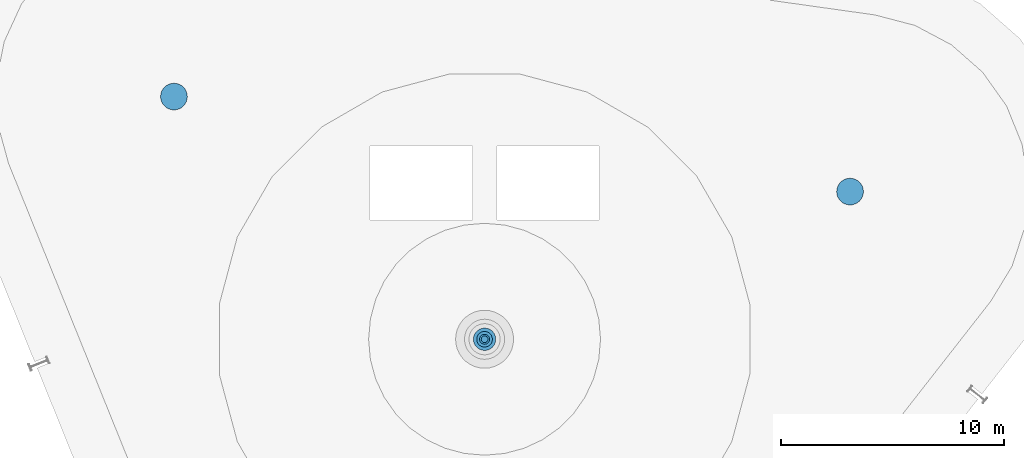
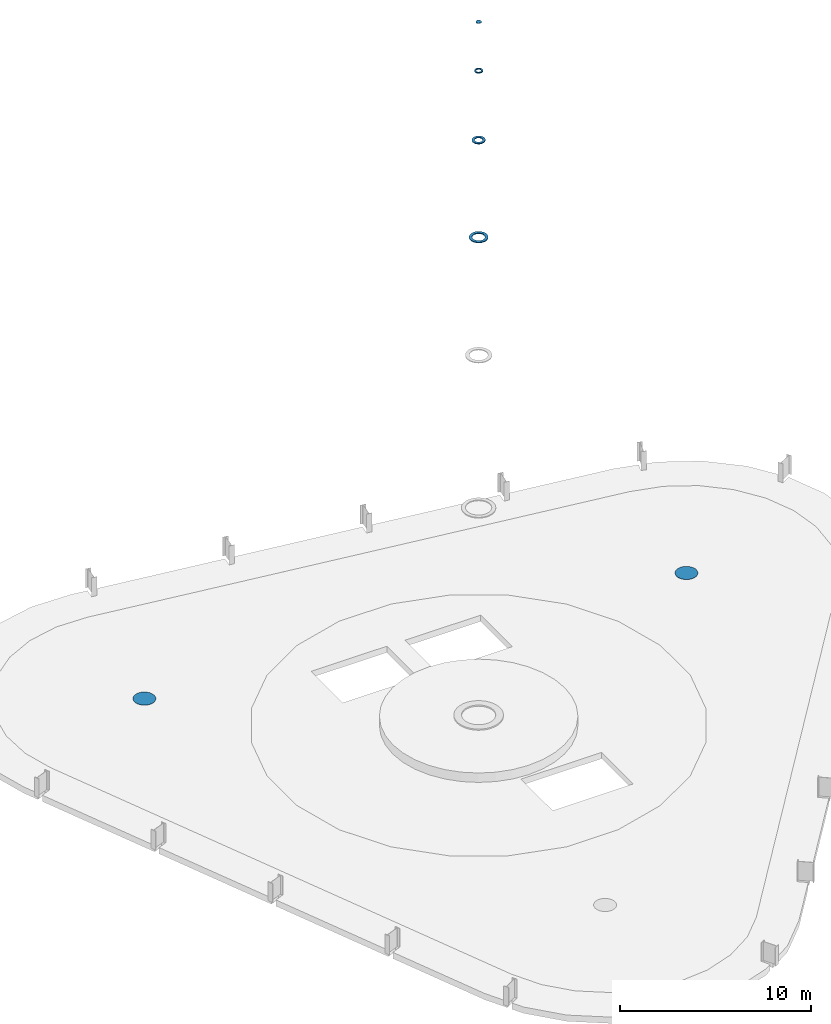
# One storey, part 2 of 2: 6 discrete accessories.
"""IFC4 building model written with IfcOpenShell, lengths in metres."""

from ifc_helpers import new_model, si_unit, direction, frame, origin, place, context, subcontext, project, spatial, polyline, outline, extrude, material, layer, layer_set, type_object, element, save


model = new_model("IFC4")

# Units and contexts
model_context = context("Model", 3, precision=1e-05, world=origin(), true_north=direction((0.0, 1.0)))
body_context = subcontext(model_context, "Body", "Model", "MODEL_VIEW")
ifc_project = project(units=[si_unit("LENGTHUNIT", "METRE"), si_unit("AREAUNIT", "SQUARE_METRE"), si_unit("VOLUMEUNIT", "CUBIC_METRE"), si_unit("PLANEANGLEUNIT", "RADIAN"), si_unit("MASSUNIT", "GRAM", prefix="KILO")], contexts=[model_context])

# Site, building, storey
site_placement = place(None, origin())
site = spatial("IfcSite", under=ifc_project, at=site_placement, CompositionType="ELEMENT")
building_placement = place(site_placement, origin())
building = spatial("IfcBuilding", under=site, at=building_placement, Name="Spindle Arch Residences", CompositionType="ELEMENT")
storey_placement = place(building_placement, frame((0.0, 0.0, 371.39990234375)))
storey = spatial("IfcBuildingStorey", under=building, at=storey_placement, Name="ROOF", CompositionType="ELEMENT", Elevation=371.39990234375)

# Discrete accessories
ifc_material_1 = material(Name="Steel S460ML, intumescent coating R 240", Category="steel")
ifc_layer_1 = layer(ifc_material_1, 0.0400390625)
ifc_layer_set_1 = layer_set([ifc_layer_1], Name="End cap plate 40")
discrete_accessory_type_1 = type_object("IfcDiscreteAccessoryType", Name="End cap plate 40", PredefinedType="BRACKET", material=ifc_layer_set_1)
discrete_accessory_1_placement = place(storey_placement, frame((0.0, 0.0, -0.039794921875)))
element("IfcDiscreteAccessory", 1, at=discrete_accessory_1_placement, inside=storey, type_object=discrete_accessory_type_1, Name="End cap Mega-column 1", PredefinedType="BRACKET", context=body_context, shape_type="SweptSolid", body=[
    extrude(outline(polyline([(16.98974609375, 6.621826171875), (16.978271484375, 6.739013671875), (16.944091796875, 6.8515625), (16.888671875, 6.955078125), (16.81396484375, 7.046142578125), (16.722900390625, 7.120849609375), (16.619384765625, 7.17626953125), (16.5068359375, 7.21044921875), (16.3896484375, 7.221923828125), (16.272705078125, 7.21044921875), (16.16015625, 7.17626953125), (16.056396484375, 7.120849609375), (15.96533203125, 7.046142578125), (15.890869140625, 6.955078125), (15.83544921875, 6.8515625), (15.80126953125, 6.739013671875), (15.789794921875, 6.621826171875), (15.80126953125, 6.5048828125), (15.83544921875, 6.392333984375), (15.890869140625, 6.28857421875), (15.96533203125, 6.197509765625), (16.056396484375, 6.123046875), (16.16015625, 6.067626953125), (16.272705078125, 6.033447265625), (16.3896484375, 6.02197265625), (16.5068359375, 6.033447265625), (16.619384765625, 6.067626953125), (16.722900390625, 6.123046875), (16.81396484375, 6.197509765625), (16.888671875, 6.28857421875), (16.944091796875, 6.392333984375), (16.978271484375, 6.5048828125), (16.98974609375, 6.621826171875)])), origin(), (0.0, 0.0, 1.0), 0.039794921875),
])
discrete_accessory_2_placement = place(storey_placement, frame((0.0, 0.0, -0.039794921875)))
element("IfcDiscreteAccessory", 2, at=discrete_accessory_2_placement, inside=storey, type_object=discrete_accessory_type_1, Name="End cap Mega-column 2", PredefinedType="BRACKET", context=body_context, shape_type="SweptSolid", body=[
    extrude(outline(polyline([(-13.32958984375, 10.883056640625), (-13.341064453125, 11.0), (-13.375244140625, 11.112548828125), (-13.4306640625, 11.21630859375), (-13.505126953125, 11.307373046875), (-13.59619140625, 11.3818359375), (-13.699951171875, 11.437255859375), (-13.8125, 11.471435546875), (-13.929443359375, 11.48291015625), (-14.046630859375, 11.471435546875), (-14.1591796875, 11.437255859375), (-14.2626953125, 11.3818359375), (-14.353759765625, 11.307373046875), (-14.428466796875, 11.21630859375), (-14.48388671875, 11.112548828125), (-14.51806640625, 11.0), (-14.529541015625, 10.883056640625), (-14.51806640625, 10.765869140625), (-14.48388671875, 10.6533203125), (-14.428466796875, 10.5498046875), (-14.353759765625, 10.458740234375), (-14.2626953125, 10.384033203125), (-14.1591796875, 10.32861328125), (-14.046630859375, 10.29443359375), (-13.929443359375, 10.282958984375), (-13.8125, 10.29443359375), (-13.699951171875, 10.32861328125), (-13.59619140625, 10.384033203125), (-13.505126953125, 10.458740234375), (-13.4306640625, 10.5498046875), (-13.375244140625, 10.6533203125), (-13.341064453125, 10.765869140625), (-13.32958984375, 10.883056640625)])), origin(), (0.0, 0.0, 1.0), 0.039794921875),
])
ifc_material_2 = material(Name="Steel S460ML, intumescent coating R 30", Category="steel")
ifc_layer_2 = layer(ifc_material_2, 0.030029296875)
ifc_layer_set_2 = layer_set([ifc_layer_2], Name="Spire end cap 30")
discrete_accessory_type_2 = type_object("IfcDiscreteAccessoryType", Name="Spire end cap 30", PredefinedType="BRACKET", material=ifc_layer_set_2)
discrete_accessory_3_placement = place(storey_placement, frame((0.0, 0.0, 44.97021484375)))
element("IfcDiscreteAccessory", 3, at=discrete_accessory_3_placement, inside=storey, type_object=discrete_accessory_type_2, Name="Spire end cap", PredefinedType="BRACKET", context=body_context, shape_type="SweptSolid", body=[
    extrude(outline(polyline([(0.14990234375, 0.0), (0.147705078125, 0.02587890625), (0.14111328125, 0.05126953125), (0.1298828125, 0.074951171875), (0.114990234375, 0.096435546875), (0.096435546875, 0.114990234375), (0.074951171875, 0.1298828125), (0.05126953125, 0.14111328125), (0.02587890625, 0.147705078125), (0.0, 0.14990234375), (-0.02587890625, 0.147705078125), (-0.05126953125, 0.14111328125), (-0.074951171875, 0.1298828125), (-0.096435546875, 0.114990234375), (-0.114990234375, 0.096435546875), (-0.1298828125, 0.074951171875), (-0.14111328125, 0.05126953125), (-0.147705078125, 0.02587890625), (-0.14990234375, 0.0), (-0.147705078125, -0.02587890625), (-0.14111328125, -0.05126953125), (-0.1298828125, -0.074951171875), (-0.114990234375, -0.096435546875), (-0.096435546875, -0.114990234375), (-0.074951171875, -0.1298828125), (-0.05126953125, -0.14111328125), (-0.02587890625, -0.147705078125), (0.0, -0.14990234375), (0.02587890625, -0.147705078125), (0.05126953125, -0.14111328125), (0.074951171875, -0.1298828125), (0.096435546875, -0.114990234375), (0.114990234375, -0.096435546875), (0.1298828125, -0.074951171875), (0.14111328125, -0.05126953125), (0.147705078125, -0.02587890625), (0.14990234375, 0.0)])), origin(), (0.0, 0.0, 1.0), 0.02978515625),
])
ifc_material_3 = material(Name="Steel S460ML, intumescent coating R 30", Category="steel")
ifc_layer_3 = layer(ifc_material_3, 0.050048828125)
ifc_layer_set_3 = layer_set([ifc_layer_3], Name="Spire step plate 50")
discrete_accessory_type_3 = type_object("IfcDiscreteAccessoryType", Name="Spire step plate 50", PredefinedType="BRACKET", material=ifc_layer_set_3)
discrete_accessory_4_placement = place(storey_placement, frame((0.0, 0.0, 31.1904296875)))
element("IfcDiscreteAccessory", 4, at=discrete_accessory_4_placement, inside=storey, type_object=discrete_accessory_type_3, Name="Spire step plate 3", PredefinedType="BRACKET", context=body_context, shape_type="SweptSolid", body=[
    extrude(outline(polyline([(0.492431640625, -0.0869140625), (0.4697265625, -0.1708984375), (0.43310546875, -0.25), (0.383056640625, -0.3212890625), (0.3212890625, -0.383056640625), (0.25, -0.43310546875), (0.1708984375, -0.4697265625), (0.0869140625, -0.492431640625), (0.0, -0.5), (-0.0869140625, -0.492431640625), (-0.1708984375, -0.4697265625), (-0.25, -0.43310546875), (-0.3212890625, -0.383056640625), (-0.383056640625, -0.3212890625), (-0.43310546875, -0.25), (-0.4697265625, -0.1708984375), (-0.492431640625, -0.0869140625), (-0.5, 0.0), (-0.492431640625, 0.0869140625), (-0.4697265625, 0.1708984375), (-0.43310546875, 0.25), (-0.383056640625, 0.3212890625), (-0.3212890625, 0.383056640625), (-0.25, 0.43310546875), (-0.1708984375, 0.4697265625), (-0.0869140625, 0.492431640625), (0.0, 0.5), (0.0869140625, 0.492431640625), (0.1708984375, 0.4697265625), (0.25, 0.43310546875), (0.3212890625, 0.383056640625), (0.383056640625, 0.3212890625), (0.43310546875, 0.25), (0.4697265625, 0.1708984375), (0.492431640625, 0.0869140625), (0.5, 0.0), (0.492431640625, -0.0869140625)]), holes=[polyline([(0.3369140625, 0.059326171875), (0.3212890625, 0.116943359375), (0.296142578125, 0.1708984375), (0.261962890625, 0.2197265625), (0.2197265625, 0.261962890625), (0.1708984375, 0.296142578125), (0.116943359375, 0.3212890625), (0.059326171875, 0.3369140625), (0.0, 0.342041015625), (-0.059326171875, 0.3369140625), (-0.116943359375, 0.3212890625), (-0.1708984375, 0.296142578125), (-0.2197265625, 0.261962890625), (-0.261962890625, 0.2197265625), (-0.296142578125, 0.1708984375), (-0.3212890625, 0.116943359375), (-0.3369140625, 0.059326171875), (-0.342041015625, 0.0), (-0.3369140625, -0.059326171875), (-0.3212890625, -0.116943359375), (-0.296142578125, -0.1708984375), (-0.261962890625, -0.2197265625), (-0.2197265625, -0.261962890625), (-0.1708984375, -0.296142578125), (-0.116943359375, -0.3212890625), (-0.059326171875, -0.3369140625), (0.0, -0.342041015625), (0.059326171875, -0.3369140625), (0.116943359375, -0.3212890625), (0.1708984375, -0.296142578125), (0.2197265625, -0.261962890625), (0.261962890625, -0.2197265625), (0.296142578125, -0.1708984375), (0.3212890625, -0.116943359375), (0.3369140625, -0.059326171875), (0.342041015625, 0.0), (0.3369140625, 0.059326171875)])]), origin(), (0.0, 0.0, 1.0), 0.050048828125),
])
discrete_accessory_5_placement = place(storey_placement, frame((0.0, 0.0, 37.402099609375)))
element("IfcDiscreteAccessory", 5, at=discrete_accessory_5_placement, inside=storey, type_object=discrete_accessory_type_3, Name="Spire step plate 4", PredefinedType="BRACKET", context=body_context, shape_type="SweptSolid", body=[
    extrude(outline(polyline([(0.3447265625, -0.060791015625), (0.328857421875, -0.11962890625), (0.302978515625, -0.175048828125), (0.26806640625, -0.22509765625), (0.22509765625, -0.26806640625), (0.175048828125, -0.302978515625), (0.11962890625, -0.328857421875), (0.060791015625, -0.3447265625), (0.0, -0.35009765625), (-0.060791015625, -0.3447265625), (-0.11962890625, -0.328857421875), (-0.175048828125, -0.302978515625), (-0.22509765625, -0.26806640625), (-0.26806640625, -0.22509765625), (-0.302978515625, -0.175048828125), (-0.328857421875, -0.11962890625), (-0.3447265625, -0.060791015625), (-0.35009765625, 0.0), (-0.3447265625, 0.060791015625), (-0.328857421875, 0.11962890625), (-0.302978515625, 0.175048828125), (-0.26806640625, 0.22509765625), (-0.22509765625, 0.26806640625), (-0.175048828125, 0.302978515625), (-0.11962890625, 0.328857421875), (-0.060791015625, 0.3447265625), (0.0, 0.35009765625), (0.060791015625, 0.3447265625), (0.11962890625, 0.328857421875), (0.175048828125, 0.302978515625), (0.22509765625, 0.26806640625), (0.26806640625, 0.22509765625), (0.302978515625, 0.175048828125), (0.328857421875, 0.11962890625), (0.3447265625, 0.060791015625), (0.35009765625, 0.0), (0.3447265625, -0.060791015625)]), holes=[polyline([(0.213623046875, 0.03759765625), (0.203857421875, 0.07421875), (0.18798828125, 0.1083984375), (0.166259765625, 0.139404296875), (0.139404296875, 0.166259765625), (0.1083984375, 0.18798828125), (0.07421875, 0.203857421875), (0.03759765625, 0.213623046875), (0.0, 0.217041015625), (-0.03759765625, 0.213623046875), (-0.07421875, 0.203857421875), (-0.1083984375, 0.18798828125), (-0.139404296875, 0.166259765625), (-0.166259765625, 0.139404296875), (-0.18798828125, 0.1083984375), (-0.203857421875, 0.07421875), (-0.213623046875, 0.03759765625), (-0.217041015625, 0.0), (-0.213623046875, -0.03759765625), (-0.203857421875, -0.07421875), (-0.18798828125, -0.1083984375), (-0.166259765625, -0.139404296875), (-0.139404296875, -0.166259765625), (-0.1083984375, -0.18798828125), (-0.07421875, -0.203857421875), (-0.03759765625, -0.213623046875), (0.0, -0.217041015625), (0.03759765625, -0.213623046875), (0.07421875, -0.203857421875), (0.1083984375, -0.18798828125), (0.139404296875, -0.166259765625), (0.166259765625, -0.139404296875), (0.18798828125, -0.1083984375), (0.203857421875, -0.07421875), (0.213623046875, -0.03759765625), (0.217041015625, 0.0), (0.213623046875, 0.03759765625)])]), origin(), (0.0, 0.0, 1.0), 0.050048828125),
])
discrete_accessory_6_placement = place(storey_placement, frame((0.0, 0.0, 41.839111328125)))
element("IfcDiscreteAccessory", 6, at=discrete_accessory_6_placement, inside=storey, type_object=discrete_accessory_type_3, Name="Spire step plate 5", PredefinedType="BRACKET", context=body_context, shape_type="SweptSolid", body=[
    extrude(outline(polyline([(0.2216796875, -0.0390625), (0.21142578125, -0.076904296875), (0.19482421875, -0.112548828125), (0.17236328125, -0.14453125), (0.14453125, -0.17236328125), (0.112548828125, -0.19482421875), (0.076904296875, -0.21142578125), (0.0390625, -0.2216796875), (0.0, -0.22509765625), (-0.0390625, -0.2216796875), (-0.076904296875, -0.21142578125), (-0.112548828125, -0.19482421875), (-0.14453125, -0.17236328125), (-0.17236328125, -0.14453125), (-0.19482421875, -0.112548828125), (-0.21142578125, -0.076904296875), (-0.2216796875, -0.0390625), (-0.22509765625, 0.0), (-0.2216796875, 0.0390625), (-0.21142578125, 0.076904296875), (-0.19482421875, 0.112548828125), (-0.17236328125, 0.14453125), (-0.14453125, 0.17236328125), (-0.112548828125, 0.19482421875), (-0.076904296875, 0.21142578125), (-0.0390625, 0.2216796875), (0.0, 0.22509765625), (0.0390625, 0.2216796875), (0.076904296875, 0.21142578125), (0.112548828125, 0.19482421875), (0.14453125, 0.17236328125), (0.17236328125, 0.14453125), (0.19482421875, 0.112548828125), (0.21142578125, 0.076904296875), (0.2216796875, 0.0390625), (0.22509765625, 0.0), (0.2216796875, -0.0390625)]), holes=[polyline([(0.139892578125, 0.024658203125), (0.13330078125, 0.048583984375), (0.123046875, 0.071044921875), (0.10888671875, 0.09130859375), (0.09130859375, 0.10888671875), (0.071044921875, 0.123046875), (0.048583984375, 0.13330078125), (0.024658203125, 0.139892578125), (0.0, 0.14208984375), (-0.024658203125, 0.139892578125), (-0.048583984375, 0.13330078125), (-0.071044921875, 0.123046875), (-0.09130859375, 0.10888671875), (-0.10888671875, 0.09130859375), (-0.123046875, 0.071044921875), (-0.13330078125, 0.048583984375), (-0.139892578125, 0.024658203125), (-0.14208984375, 0.0), (-0.139892578125, -0.024658203125), (-0.13330078125, -0.048583984375), (-0.123046875, -0.071044921875), (-0.10888671875, -0.09130859375), (-0.09130859375, -0.10888671875), (-0.071044921875, -0.123046875), (-0.048583984375, -0.13330078125), (-0.024658203125, -0.139892578125), (0.0, -0.14208984375), (0.024658203125, -0.139892578125), (0.048583984375, -0.13330078125), (0.071044921875, -0.123046875), (0.09130859375, -0.10888671875), (0.10888671875, -0.09130859375), (0.123046875, -0.071044921875), (0.13330078125, -0.048583984375), (0.139892578125, -0.024658203125), (0.14208984375, 0.0), (0.139892578125, 0.024658203125)])]), origin(), (0.0, 0.0, 1.0), 0.050048828125),
])

save(model, "model.ifc")
